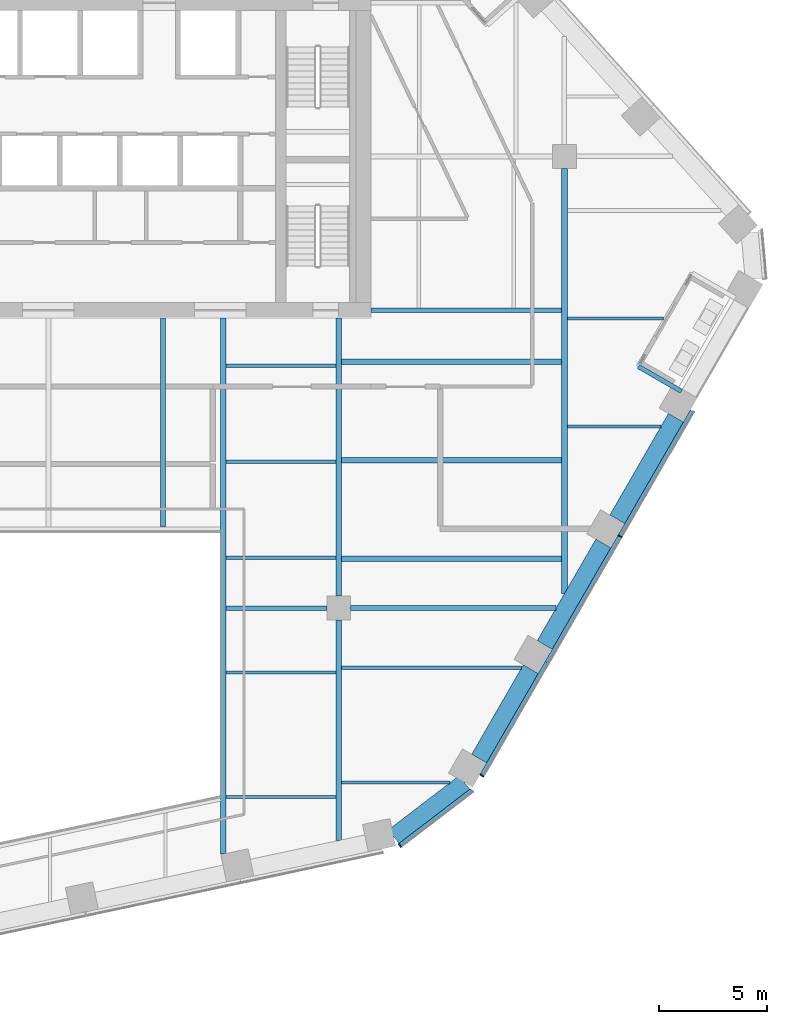
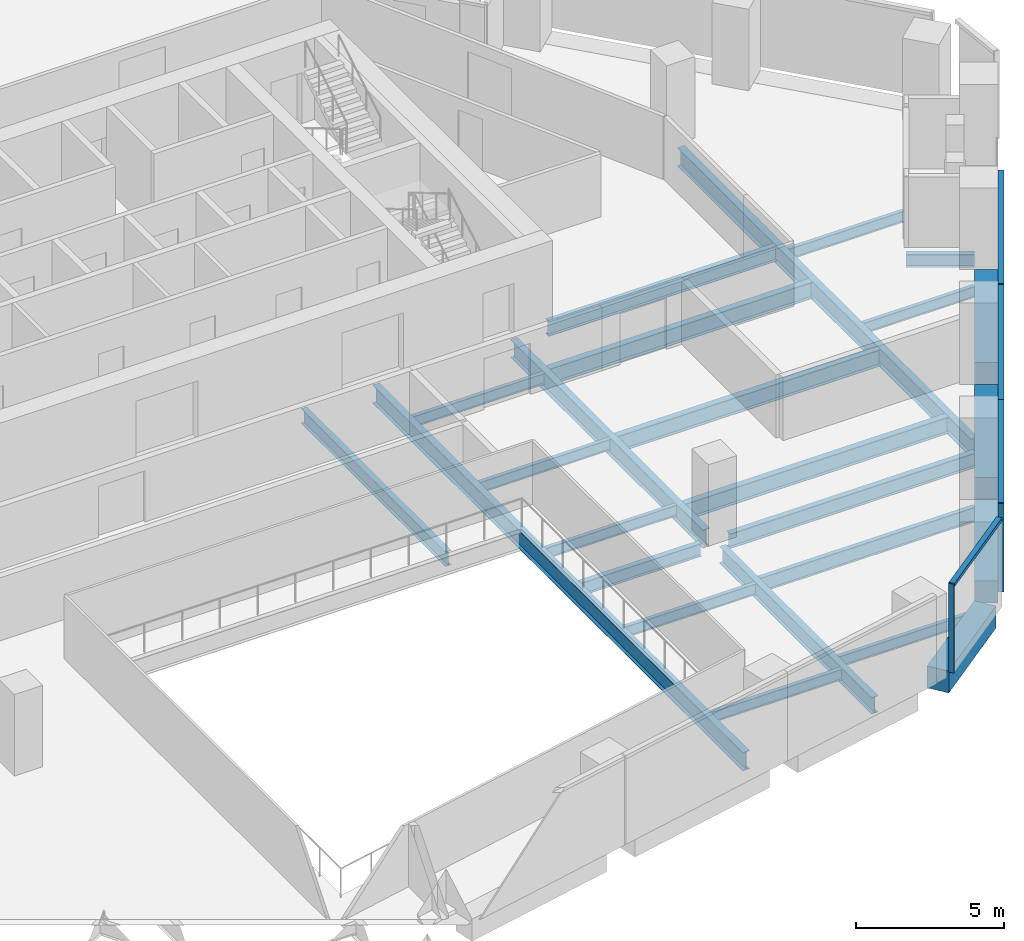
# One storey, part 6 of 26: 25 beams, 7 members, 2 elements without a shape of their own.
"""IFC4 building model written with IfcOpenShell, lengths in metres."""

from ifc_helpers import new_model, si_unit, direction, frame, origin, origin_2d, place, context, subcontext, project, spatial, rectangle, i_section, extrude, material, layer, layer_set, material_profile, profile_set, type_object, element, aggregate, save


model = new_model("IFC4")

# Units and contexts
model_context = context("Model", 3, precision=1e-05, world=origin(), true_north=direction((0.0, 1.0)))
body_context = subcontext(model_context, "Body", "Model", "MODEL_VIEW")
ifc_project = project(units=[si_unit("LENGTHUNIT", "METRE"), si_unit("AREAUNIT", "SQUARE_METRE"), si_unit("VOLUMEUNIT", "CUBIC_METRE"), si_unit("PLANEANGLEUNIT", "RADIAN"), si_unit("MASSUNIT", "GRAM", prefix="KILO")], contexts=[model_context])

# Site, building, storey
site_placement = place(None, origin())
site = spatial("IfcSite", under=ifc_project, at=site_placement, CompositionType="ELEMENT")
building_placement = place(site_placement, origin())
building = spatial("IfcBuilding", under=site, at=building_placement, Name="Isthmus Gate Tower", CompositionType="ELEMENT")
storey_placement = place(building_placement, frame((0.0, 0.0, 203.64990234375)))
storey = spatial("IfcBuildingStorey", under=building, at=storey_placement, Name="L51", CompositionType="ELEMENT", Elevation=203.64990234375)

# Curtain wall, member
ifc_material_1 = material(Name="Aluminium, pale champagne anodised", Category="aluminium")
ifc_layer = layer(ifc_material_1, 0.199951171875)
ifc_layer_set = layer_set([ifc_layer], Name="CW-1 UNITISED CURTAIN WALL 200 DEEP")
curtain_wall_type = type_object("IfcCurtainWallType", Name="CW-1 UNITISED CURTAIN WALL 200 DEEP", PredefinedType="NOTDEFINED", material=ifc_layer_set)
curtain_wall_1_placement = place(storey_placement, origin())
curtain_wall_1 = element("IfcCurtainWall", 1, at=curtain_wall_1_placement, inside=storey, type_object=curtain_wall_type, Name="CW-1 S-SE L51", PredefinedType="NOTDEFINED")
ifc_material_2 = material(Name="Aluminium, pale champagne anodised", Category="aluminium")
ifc_material_profile_1 = material_profile(ifc_material_2, rectangle(XDim=0.06005859375, YDim=0.199951171875, at=origin_2d()), Name="60x200")
ifc_profile_set_1 = profile_set([ifc_material_profile_1], Name="Aluminium, pale champagne anodised")
member_type_1 = type_object("IfcMemberType", Name="CW-1 MULLION 60 X 200", PredefinedType="MULLION", material=ifc_profile_set_1)
member_1_placement = place(storey_placement, frame((16.346435546875, -24.5419921875, 0.0), z_axis=(0.0, 0.0, 1.0), x_axis=(0.794188594387, 0.607671355706, 0.0)))
member_1 = element("IfcMember", 2, at=member_1_placement, type_object=member_type_1, Name="CW-1 mullion", PredefinedType="MULLION", context=body_context, shape_type="SweptSolid", body=[
    extrude(rectangle(XDim=0.06005859375, YDim=0.199951171875, at=origin_2d()), origin(), (0.0, 0.0, 1.0), 3.650146484375),
])

# Curtain wall, members
curtain_wall_2_placement = place(storey_placement, origin())
curtain_wall_2 = element("IfcCurtainWall", 3, at=curtain_wall_2_placement, inside=storey, type_object=curtain_wall_type, Name="CW-1 SE L51", PredefinedType="NOTDEFINED")
member_2_placement = place(storey_placement, frame((20.156005859375, -21.288818359375, 0.0), z_axis=(0.0, 0.0, 1.0), x_axis=(0.5, 0.866025403784, 0.0)))
member_2 = element("IfcMember", 4, at=member_2_placement, type_object=member_type_1, Name="CW-1 mullion", PredefinedType="MULLION", context=body_context, shape_type="SweptSolid", body=[
    extrude(rectangle(XDim=0.06005859375, YDim=0.199951171875, at=origin_2d()), origin(), (0.0, 0.0, 1.0), 3.650146484375),
])
member_3_placement = place(storey_placement, frame((26.5810546875, -10.16015625, 0.0), z_axis=(0.0, 0.0, 1.0), x_axis=(0.5, 0.866025403784, 0.0)))
member_3 = element("IfcMember", 5, at=member_3_placement, type_object=member_type_1, Name="CW-1 mullion", PredefinedType="MULLION", context=body_context, shape_type="SweptSolid", body=[
    extrude(rectangle(XDim=0.06005859375, YDim=0.199951171875, at=origin_2d()), origin(), (0.0, 0.0, 1.0), 3.650146484375),
])

# Member
ifc_material_3 = material(Name="Aluminium, pale champagne anodised", Category="aluminium")
ifc_material_profile_2 = material_profile(ifc_material_3, rectangle(XDim=0.199951171875, YDim=0.139892578125, at=origin_2d()), Name="200x140")
ifc_profile_set_2 = profile_set([ifc_material_profile_2], Name="Aluminium, pale champagne anodised")
member_type_2 = type_object("IfcMemberType", Name="CW-1 TRANSOM 200 X 140", PredefinedType="USERDEFINED", material=ifc_profile_set_2)
member_4_placement = place(storey_placement, frame((16.3701171875, -24.52392578125, 3.580078125), z_axis=(0.79419705805, 0.607660294066, 0.0), x_axis=(-0.607660294066, 0.79419705805, 0.0)))
member_4 = element("IfcMember", 6, at=member_4_placement, type_object=member_type_2, Name="CW-1 transom", ObjectType="TRANSOM", PredefinedType="USERDEFINED", context=body_context, shape_type="SweptSolid", body=[
    extrude(rectangle(XDim=0.199951171875, YDim=0.139892578125, at=origin_2d()), origin(), (0.0, 0.0, 1.0), 4.181640625),
])

aggregate(curtain_wall_1, [member_1, member_4])

member_5_placement = place(storey_placement, frame((20.171142578125, -21.2626953125, 3.580078125), z_axis=(0.499990697366, 0.866030774596, 0.0), x_axis=(-0.866030774596, 0.499990697366, 0.0)))
member_5 = element("IfcMember", 7, at=member_5_placement, type_object=member_type_2, Name="CW-1 transom", ObjectType="TRANSOM", PredefinedType="USERDEFINED", context=body_context, shape_type="SweptSolid", body=[
    extrude(rectangle(XDim=0.199951171875, YDim=0.139892578125, at=origin_2d()), origin(), (0.0, 0.0, 1.0), 6.0400390625),
])

member_6_placement = place(storey_placement, frame((23.191162109375, -16.03173828125, 3.580078125), z_axis=(0.499997969693, 0.866026575979, 0.0), x_axis=(-0.866026575979, 0.499997969693, 0.0)))
member_6 = element("IfcMember", 8, at=member_6_placement, type_object=member_type_2, Name="CW-1 transom", ObjectType="TRANSOM", PredefinedType="USERDEFINED", context=body_context, shape_type="SweptSolid", body=[
    extrude(rectangle(XDim=0.199951171875, YDim=0.139892578125, at=origin_2d()), origin(), (0.0, 0.0, 1.0), 6.75),
])

member_7_placement = place(storey_placement, frame((26.59619140625, -10.134033203125, 3.580078125), z_axis=(0.499997283838, 0.866026971956, 0.0), x_axis=(-0.866026971956, 0.499997283838, 0.0)))
member_7 = element("IfcMember", 9, at=member_7_placement, type_object=member_type_2, Name="CW-1 transom", ObjectType="TRANSOM", PredefinedType="USERDEFINED", context=body_context, shape_type="SweptSolid", body=[
    extrude(rectangle(XDim=0.199951171875, YDim=0.139892578125, at=origin_2d()), origin(), (0.0, 0.0, 1.0), 6.68994140625),
])

aggregate(curtain_wall_2, [member_2, member_5, member_6, member_3, member_7])

# Beams
ifc_material_4 = material(Name="Concrete f'c 60 MPa", Category="concrete")
ifc_material_profile_3 = material_profile(ifc_material_4, rectangle(XDim=0.800048828125, YDim=0.89990234375, at=origin_2d()), Name="RC 800X900")
ifc_profile_set_3 = profile_set([ifc_material_profile_3], Name="Concrete f'c 60 MPa")
beam_type_1 = type_object("IfcBeamType", Name="RC SPANDREL 800 X 900", PredefinedType="SPANDREL", material=ifc_profile_set_3)
beam_1_placement = place(storey_placement, frame((29.18310546875, -4.653076171875, -0.449951171875), z_axis=(-0.49996933381, -0.866043108194, 0.0), x_axis=(0.866043108194, -0.49996933381, 0.0)))
element("IfcBeam", 10, at=beam_1_placement, inside=storey, type_object=beam_type_1, Name="str-spandrel-L51-07", PredefinedType="SPANDREL", context=body_context, shape_type="SweptSolid", body=[
    extrude(rectangle(XDim=0.800048828125, YDim=0.89990234375, at=origin_2d()), origin(), (0.0, 0.0, 1.0), 5.449951171875),
])
beam_2_placement = place(storey_placement, frame((25.80810546875, -10.4990234375, -0.449951171875), z_axis=(-0.500002931134, -0.866023711487, 0.0), x_axis=(0.866023711487, -0.500002931134, 0.0)))
element("IfcBeam", 11, at=beam_2_placement, inside=storey, type_object=beam_type_1, Name="str-spandrel-L51-08", PredefinedType="SPANDREL", context=body_context, shape_type="SweptSolid", body=[
    extrude(rectangle(XDim=0.800048828125, YDim=0.89990234375, at=origin_2d()), origin(), (0.0, 0.0, 1.0), 5.4501953125),
])
beam_3_placement = place(storey_placement, frame((22.43310546875, -16.3447265625, -0.449951171875), z_axis=(-0.500017431331, -0.866015339567, 0.0), x_axis=(0.866015339567, -0.500017431331, 0.0)))
element("IfcBeam", 12, at=beam_3_placement, inside=storey, type_object=beam_type_1, Name="str-spandrel-L51-09", PredefinedType="SPANDREL", context=body_context, shape_type="SweptSolid", body=[
    extrude(rectangle(XDim=0.800048828125, YDim=0.89990234375, at=origin_2d()), origin(), (0.0, 0.0, 1.0), 4.800048828125),
])
beam_4_placement = place(storey_placement, frame((19.354248046875, -21.611083984375, -0.449951171875), z_axis=(-0.794205941875, -0.607648682949, 0.0), x_axis=(0.607648682949, -0.794205941875, 0.0)))
element("IfcBeam", 13, at=beam_4_placement, inside=storey, type_object=beam_type_1, Name="str-spandrel-L51-10", PredefinedType="SPANDREL", context=body_context, shape_type="SweptSolid", body=[
    extrude(rectangle(XDim=0.800048828125, YDim=0.89990234375, at=origin_2d()), origin(), (0.0, 0.0, 1.0), 4.15234375),
])
ifc_material_5 = material(Name="Structural steel ASTM A992 Gr 50", Category="steel")
ifc_material_profile_4 = material_profile(ifc_material_5, i_section(OverallWidth=0.15234375, OverallDepth=0.45068359375, WebThickness=0.0078125, FlangeThickness=0.010986328125, at=origin_2d()), Name="W18X35")
ifc_profile_set_4 = profile_set([ifc_material_profile_4], Name="Structural steel ASTM A992 Gr 50")
beam_type_2 = type_object("IfcBeamType", Name="STEEL FLOOR BEAM W18X35", PredefinedType="JOIST", material=ifc_profile_set_4)
for number, where, z_axis, x_axis, name in (
    (14, (8.263427734375, -22.291015625, -0.375244140625), (1.0, 0.0, 0.0), (0.0, 1.0, 0.0), "str-beam-L51-12-00"),
    (15, (8.263427734375, -16.500244140625, -0.375244140625), (1.0, 0.0, 0.0), (0.0, 1.0, 0.0), "str-beam-L51-12-01"),
):
    element("IfcBeam", number, at=place(storey_placement, frame(where, z_axis=z_axis, x_axis=x_axis)), inside=storey, type_object=beam_type_2, Name=name, PredefinedType="JOIST", context=body_context, shape_type="SweptSolid", body=[
        extrude(i_section(OverallWidth=0.15234375, OverallDepth=0.45068359375, WebThickness=0.0078125, FlangeThickness=0.010986328125, at=origin_2d()), origin(), (0.0, 0.0, 1.0), 5.109619140625),
    ])
for number, where, z_axis, x_axis, name in (
    (16, (8.263427734375, -11.16259765625, -0.375244140625), (1.0, 0.0, 0.0), (0.0, 1.0, 0.0), "str-beam-L51-13-00"),
    (17, (8.263427734375, -6.697509765625, -0.375244140625), (1.0, 0.0, 0.0), (0.0, 1.0, 0.0), "str-beam-L51-13-01"),
    (18, (8.263427734375, -2.232421875, -0.375244140625), (1.0, 0.0, 0.0), (0.0, 1.0, 0.0), "str-beam-L51-13-02"),
):
    element("IfcBeam", number, at=place(storey_placement, frame(where, z_axis=z_axis, x_axis=x_axis)), inside=storey, type_object=beam_type_2, Name=name, PredefinedType="JOIST", context=body_context, shape_type="SweptSolid", body=[
        extrude(i_section(OverallWidth=0.15234375, OverallDepth=0.45068359375, WebThickness=0.0078125, FlangeThickness=0.010986328125, at=origin_2d()), origin(), (0.0, 0.0, 1.0), 5.104736328125),
    ])
beam_5_placement = place(storey_placement, frame((13.626953125, -21.61767578125, -0.375244140625), z_axis=(1.0, 0.0, 0.0), x_axis=(0.0, 1.0, 0.0)))
element("IfcBeam", 19, at=beam_5_placement, inside=storey, type_object=beam_type_2, Name="str-beam-L51-14-00", PredefinedType="JOIST", context=body_context, shape_type="SweptSolid", body=[
    extrude(i_section(OverallWidth=0.15234375, OverallDepth=0.45068359375, WebThickness=0.0078125, FlangeThickness=0.010986328125, at=origin_2d()), origin(), (0.0, 0.0, 1.0), 5.060302734375),
])
beam_6_placement = place(storey_placement, frame((24.13330078125, -5.0625, -0.375244140625), z_axis=(1.0, 0.0, 0.0), x_axis=(0.0, 1.0, 0.0)))
element("IfcBeam", 20, at=beam_6_placement, inside=storey, type_object=beam_type_2, Name="str-beam-L51-22-00", PredefinedType="JOIST", context=body_context, shape_type="SweptSolid", body=[
    extrude(i_section(OverallWidth=0.15234375, OverallDepth=0.45068359375, WebThickness=0.0078125, FlangeThickness=0.010986328125, at=origin_2d()), origin(), (0.0, 0.0, 1.0), 4.351806640625),
])
beam_7_placement = place(storey_placement, frame((24.13330078125, -0.037353515625, -0.375244140625), z_axis=(1.0, 0.0, 0.0), x_axis=(0.0, 1.0, 0.0)))
element("IfcBeam", 21, at=beam_7_placement, inside=storey, type_object=beam_type_2, Name="str-beam-L51-22-01", PredefinedType="JOIST", context=body_context, shape_type="SweptSolid", body=[
    extrude(i_section(OverallWidth=0.15234375, OverallDepth=0.45068359375, WebThickness=0.0078125, FlangeThickness=0.010986328125, at=origin_2d()), origin(), (0.0, 0.0, 1.0), 4.470703125),
])
ifc_material_6 = material(Name="Structural steel ASTM A992 Gr 50", Category="steel")
ifc_material_profile_5 = material_profile(ifc_material_6, i_section(OverallWidth=0.177734375, OverallDepth=0.60009765625, WebThickness=0.009521484375, FlangeThickness=0.0126953125, at=origin_2d()), Name="W24X55")
ifc_profile_set_5 = profile_set([ifc_material_profile_5], Name="Structural steel ASTM A992 Gr 50")
beam_type_3 = type_object("IfcBeamType", Name="STEEL FLOOR BEAM W24X55", PredefinedType="JOIST", material=ifc_profile_set_5)
beam_8_placement = place(storey_placement, frame((13.626953125, -16.2822265625, -0.449951171875), z_axis=(1.0, 0.0, 0.0), x_axis=(0.0, 1.0, 0.0)))
element("IfcBeam", 22, at=beam_8_placement, inside=storey, type_object=beam_type_3, Name="str-beam-L51-14-01", PredefinedType="JOIST", context=body_context, shape_type="SweptSolid", body=[
    extrude(i_section(OverallWidth=0.177734375, OverallDepth=0.60009765625, WebThickness=0.009521484375, FlangeThickness=0.0126953125, at=origin_2d()), origin(), (0.0, 0.0, 1.0), 8.38037109375),
])
ifc_material_7 = material(Name="Structural steel ASTM A992 Gr 50", Category="steel")
ifc_material_profile_6 = material_profile(ifc_material_7, i_section(OverallWidth=0.228515625, OverallDepth=0.603271484375, WebThickness=0.010986328125, FlangeThickness=0.014404296875, at=origin_2d()), Name="W24X68")
ifc_profile_set_6 = profile_set([ifc_material_profile_6], Name="Structural steel ASTM A992 Gr 50")
beam_type_4 = type_object("IfcBeamType", Name="STEEL FLOOR BEAM W24X68", PredefinedType="JOIST", material=ifc_profile_set_6)
beam_9_placement = place(storey_placement, frame((5.333251953125, -9.7333984375, -0.451416015625), z_axis=(0.0, 1.0, 0.0), x_axis=(-1.0, 0.0, 0.0)))
element("IfcBeam", 23, at=beam_9_placement, inside=storey, type_object=beam_type_4, Name="str-beam-L51-09-02", PredefinedType="JOIST", context=body_context, shape_type="SweptSolid", body=[
    extrude(i_section(OverallWidth=0.228515625, OverallDepth=0.603271484375, WebThickness=0.010986328125, FlangeThickness=0.014404296875, at=origin_2d()), origin(), (0.0, 0.0, 1.0), 9.7333984375),
])
ifc_material_8 = material(Name="Structural steel ASTM A992 Gr 50", Category="steel")
ifc_material_profile_7 = material_profile(ifc_material_8, i_section(OverallWidth=0.25390625, OverallDepth=0.679443359375, WebThickness=0.010986328125, FlangeThickness=0.015869140625, at=origin_2d()), Name="W27X84")
ifc_profile_set_7 = profile_set([ifc_material_profile_7], Name="Structural steel ASTM A992 Gr 50")
beam_type_5 = type_object("IfcBeamType", Name="STEEL FLOOR BEAM W27X84", PredefinedType="JOIST", material=ifc_profile_set_7)
for number, where, z_axis, x_axis, name in (
    (24, (13.6318359375, -11.210693359375, -0.489501953125), (1.0, 0.0, 0.0), (0.0, 1.0, 0.0), "str-beam-L51-16-00"),
    (25, (13.6318359375, -6.632080078125, -0.489501953125), (1.0, 0.0, 0.0), (0.0, 1.0, 0.0), "str-beam-L51-16-01"),
    (26, (13.6318359375, -2.053466796875, -0.489501953125), (1.0, 0.0, 0.0), (0.0, 1.0, 0.0), "str-beam-L51-16-02"),
):
    element("IfcBeam", number, at=place(storey_placement, frame(where, z_axis=z_axis, x_axis=x_axis)), inside=storey, type_object=beam_type_5, Name=name, PredefinedType="JOIST", context=body_context, shape_type="SweptSolid", body=[
        extrude(i_section(OverallWidth=0.25390625, OverallDepth=0.679443359375, WebThickness=0.010986328125, FlangeThickness=0.015869140625, at=origin_2d()), origin(), (0.0, 0.0, 1.0), 10.23486328125),
    ])
ifc_material_9 = material(Name="Structural steel ASTM A992 Gr 50", Category="steel")
ifc_material_profile_8 = material_profile(ifc_material_9, i_section(OverallWidth=0.20947265625, OverallDepth=0.533447265625, WebThickness=0.009521484375, FlangeThickness=0.015869140625, at=origin_2d()), Name="W21X62")
ifc_profile_set_8 = profile_set([ifc_material_profile_8], Name="Structural steel ASTM A992 Gr 50")
beam_type_6 = type_object("IfcBeamType", Name="STEEL GIRDER W21X62", PredefinedType="BEAM", material=ifc_profile_set_8)
beam_10_placement = place(storey_placement, frame((8.263427734375, -13.5, -0.41650390625), z_axis=(1.0, 0.0, 0.0), x_axis=(0.0, 1.0, 0.0)))
element("IfcBeam", 27, at=beam_10_placement, inside=storey, type_object=beam_type_6, Name="str-girder-L51-03", PredefinedType="BEAM", context=body_context, shape_type="SweptSolid", body=[
    extrude(i_section(OverallWidth=0.20947265625, OverallDepth=0.533447265625, WebThickness=0.009521484375, FlangeThickness=0.015869140625, at=origin_2d()), origin(), (0.0, 0.0, 1.0), 4.6865234375),
])
ifc_material_10 = material(Name="Structural steel ASTM A992 Gr 50", Category="steel")
ifc_material_profile_9 = material_profile(ifc_material_10, i_section(OverallWidth=0.228515625, OverallDepth=0.6064453125, WebThickness=0.010986328125, FlangeThickness=0.017578125, at=origin_2d()), Name="W24X76")
ifc_profile_set_9 = profile_set([ifc_material_profile_9], Name="Structural steel ASTM A992 Gr 50")
beam_type_7 = type_object("IfcBeamType", Name="STEEL GIRDER W24X76", PredefinedType="BEAM", material=ifc_profile_set_9)
beam_11_placement = place(storey_placement, frame((14.050048828125, -13.5, -0.453125), z_axis=(1.0, 0.0, 0.0), x_axis=(0.0, 1.0, 0.0)))
element("IfcBeam", 28, at=beam_11_placement, inside=storey, type_object=beam_type_7, Name="str-girder-L51-04", PredefinedType="BEAM", context=body_context, shape_type="SweptSolid", body=[
    extrude(i_section(OverallWidth=0.228515625, OverallDepth=0.6064453125, WebThickness=0.010986328125, FlangeThickness=0.017578125, at=origin_2d()), origin(), (0.0, 0.0, 1.0), 9.5634765625),
])
beam_12_placement = place(storey_placement, frame((15.0, 0.35009765625, -0.453125), z_axis=(1.0, 0.0, 0.0), x_axis=(0.0, 1.0, 0.0)))
element("IfcBeam", 29, at=beam_12_placement, inside=storey, type_object=beam_type_7, Name="str-girder-L51-14", PredefinedType="BEAM", context=body_context, shape_type="SweptSolid", body=[
    extrude(i_section(OverallWidth=0.228515625, OverallDepth=0.6064453125, WebThickness=0.010986328125, FlangeThickness=0.017578125, at=origin_2d()), origin(), (0.0, 0.0, 1.0), 8.86669921875),
])
ifc_material_11 = material(Name="Structural steel ASTM A992 Gr 50", Category="steel")
ifc_material_profile_10 = material_profile(ifc_material_11, i_section(OverallWidth=0.25390625, OverallDepth=0.679443359375, WebThickness=0.010986328125, FlangeThickness=0.015869140625, at=origin_2d()), Name="W27X84")
ifc_profile_set_10 = profile_set([ifc_material_profile_10], Name="Structural steel ASTM A992 Gr 50")
beam_type_8 = type_object("IfcBeamType", Name="STEEL GIRDER W27X84", PredefinedType="BEAM", material=ifc_profile_set_10)
beam_13_placement = place(storey_placement, frame((13.5, -24.3125, -0.489501953125), z_axis=(0.0, 1.0, 0.0), x_axis=(-1.0, 0.0, 0.0)))
element("IfcBeam", 30, at=beam_13_placement, inside=storey, type_object=beam_type_8, Name="str-girder-L51-09", PredefinedType="BEAM", context=body_context, shape_type="SweptSolid", body=[
    extrude(i_section(OverallWidth=0.25390625, OverallDepth=0.679443359375, WebThickness=0.010986328125, FlangeThickness=0.015869140625, at=origin_2d()), origin(), (0.0, 0.0, 1.0), 10.262451171875),
])
ifc_material_12 = material(Name="Structural steel ASTM A992 Gr 50", Category="steel")
ifc_material_profile_11 = material_profile(ifc_material_12, i_section(OverallWidth=0.2666015625, OverallDepth=0.7587890625, WebThickness=0.014404296875, FlangeThickness=0.01904296875, at=origin_2d()), Name="W30X108")
ifc_profile_set_11 = profile_set([ifc_material_profile_11], Name="Structural steel ASTM A992 Gr 50")
beam_type_9 = type_object("IfcBeamType", Name="STEEL GIRDER W30X108", PredefinedType="BEAM", material=ifc_profile_set_11)
beam_14_placement = place(storey_placement, frame((24.0, -12.830810546875, -0.529296875), z_axis=(0.0, 1.0, 0.0), x_axis=(-1.0, 0.0, 0.0)))
element("IfcBeam", 31, at=beam_14_placement, inside=storey, type_object=beam_type_9, Name="str-girder-L51-11", PredefinedType="BEAM", context=body_context, shape_type="SweptSolid", body=[
    extrude(i_section(OverallWidth=0.2666015625, OverallDepth=0.7587890625, WebThickness=0.014404296875, FlangeThickness=0.01904296875, at=origin_2d()), origin(), (0.0, 0.0, 1.0), 19.78076171875),
])
ifc_material_13 = material(Name="Structural steel ASTM A992 Gr 50", Category="steel")
ifc_material_profile_12 = material_profile(ifc_material_13, i_section(OverallWidth=0.263427734375, OverallDepth=0.749267578125, WebThickness=0.0126953125, FlangeThickness=0.015869140625, at=origin_2d()), Name="W30X90")
ifc_profile_set_12 = profile_set([ifc_material_profile_12], Name="Structural steel ASTM A992 Gr 50")
beam_type_10 = type_object("IfcBeamType", Name="STEEL GIRDER W30X90", PredefinedType="BEAM", material=ifc_profile_set_12)
beam_15_placement = place(storey_placement, frame((13.5, -12.949951171875, -0.524658203125), z_axis=(0.0, 1.0, 0.0), x_axis=(-1.0, 0.0, 0.0)))
element("IfcBeam", 32, at=beam_15_placement, inside=storey, type_object=beam_type_10, Name="str-girder-L51-10", PredefinedType="BEAM", context=body_context, shape_type="SweptSolid", body=[
    extrude(i_section(OverallWidth=0.263427734375, OverallDepth=0.749267578125, WebThickness=0.0126953125, FlangeThickness=0.015869140625, at=origin_2d()), origin(), (0.0, 0.0, 1.0), 12.949951171875),
])
ifc_material_14 = material(Name="Structural steel ASTM A992 Gr 50", Category="steel")
ifc_material_profile_13 = material_profile(ifc_material_14, i_section(OverallWidth=0.20947265625, OverallDepth=0.533447265625, WebThickness=0.009521484375, FlangeThickness=0.015869140625, at=origin_2d()), Name="W21X62")
ifc_profile_set_13 = profile_set([ifc_material_profile_13], Name="Structural steel ASTM A992 Gr 50")
beam_type_11 = type_object("IfcBeamType", Name="STEEL TRIMMER W21X62", PredefinedType="BEAM", material=ifc_profile_set_13)
beam_16_placement = place(storey_placement, frame((29.434326171875, -3.41796875, -0.41650390625), z_axis=(-0.866017993231, 0.500012835235, 0.0), x_axis=(-0.500012835235, -0.866017993231, 0.0)))
element("IfcBeam", 33, at=beam_16_placement, inside=storey, type_object=beam_type_11, Name="str-loggiatrim-L51-04-A", PredefinedType="BEAM", context=body_context, shape_type="SweptSolid", body=[
    extrude(i_section(OverallWidth=0.20947265625, OverallDepth=0.533447265625, WebThickness=0.009521484375, FlangeThickness=0.015869140625, at=origin_2d()), origin(), (0.0, 0.0, 1.0), 2.3046875),
])
ifc_material_15 = material(Name="Structural steel ASTM A992 Gr 50", Category="steel")
ifc_material_profile_14 = material_profile(ifc_material_15, i_section(OverallWidth=0.263427734375, OverallDepth=0.749267578125, WebThickness=0.0126953125, FlangeThickness=0.015869140625, at=origin_2d()), Name="W30X90")
ifc_profile_set_14 = profile_set([ifc_material_profile_14], Name="Structural steel ASTM A992 Gr 50")
beam_type_12 = type_object("IfcBeamType", Name="STEEL TRIMMER W30X90", PredefinedType="BEAM", material=ifc_profile_set_14)
beam_17_placement = place(storey_placement, frame((8.1318359375, -24.9423828125, -0.524658203125), z_axis=(0.0, 1.0, 0.0), x_axis=(-1.0, 0.0, 0.0)))
element("IfcBeam", 34, at=beam_17_placement, inside=storey, type_object=beam_type_12, Name="str-trimmer-L51-01", PredefinedType="BEAM", context=body_context, shape_type="SweptSolid", body=[
    extrude(i_section(OverallWidth=0.263427734375, OverallDepth=0.749267578125, WebThickness=0.0126953125, FlangeThickness=0.015869140625, at=origin_2d()), origin(), (0.0, 0.0, 1.0), 24.9423828125),
])

save(model, "model.ifc")
